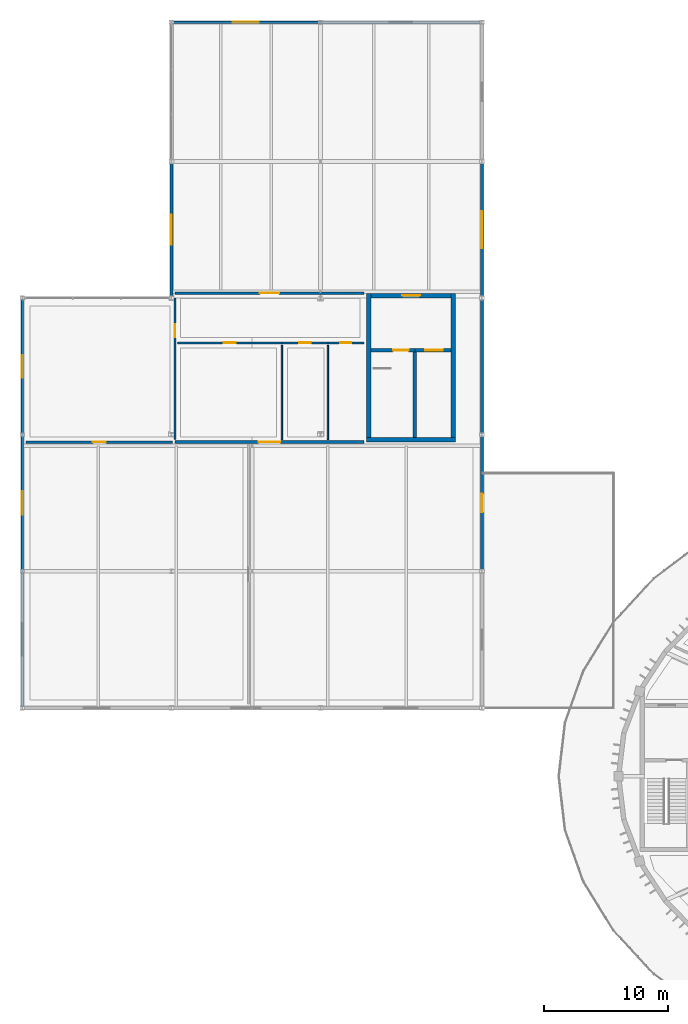
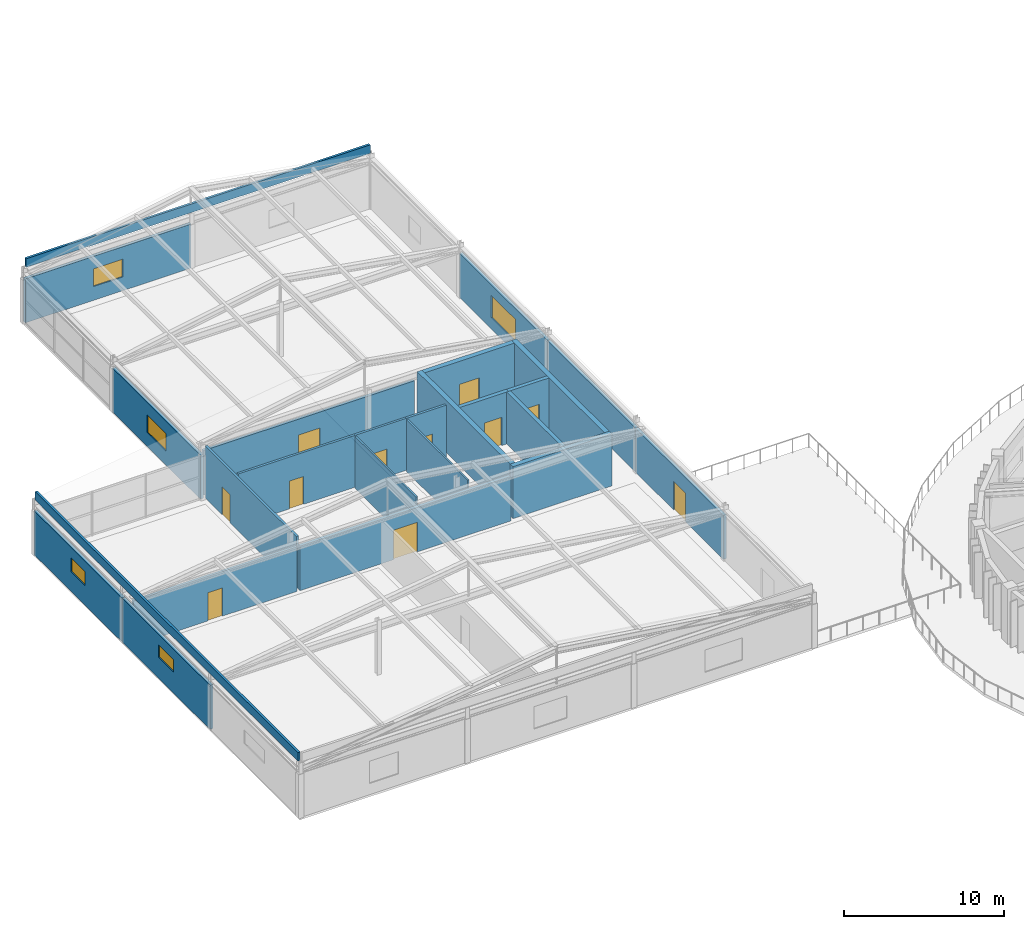
# One storey, part 47 of 63: 25 walls, 11 doors, 5 windows, 16 openings.
"""IFC4 building model written with IfcOpenShell, lengths in metres."""

import ifcopenshell
import ifcopenshell.guid

model = None  # the IFC model being written
_history = None  # IfcOwnerHistory: only IFC2X3 demands one
_inside = {}  # id of a spatial element -> (the spatial element, [elements in it])
_under = {}  # id of a project, library or spatial element -> (it, [spatial elements below it])
_declared = {}  # id of a project -> (the project, [libraries it declares])
_typed = {}  # id of a type object -> (the type object, [elements of that type])
_made_of = {}  # id of a material, layer set ... -> (it, [elements and type objects made of it])


def new_model(schema):
    """Start an empty IFC model of exactly this schema.

    Asked for "IFC4X3", IfcOpenShell would pick the latest addendum, in which some entities
    have other attributes; the version numbers below select the first issue.
    IFC2X3 requires an IfcOwnerHistory on every rooted entity: one is made here for all.
    """
    global model, _history
    if schema == "IFC4X3":
        model = ifcopenshell.file(schema_version=(4, 3, 0, 0))
    else:
        model = ifcopenshell.file(schema=schema)
    _inside.clear()
    _under.clear()
    _declared.clear()
    _typed.clear()
    _made_of.clear()
    _history = None
    if model.schema == "IFC2X3":
        org = make("IfcOrganization", Name="unknown")
        user = make(
            "IfcPersonAndOrganization",
            ThePerson=make("IfcPerson", FamilyName="unknown"),
            TheOrganization=org,
        )
        app = make(
            "IfcApplication",
            ApplicationDeveloper=org,
            Version="unknown",
            ApplicationFullName="unknown",
            ApplicationIdentifier="unknown",
        )
        _history = make(
            "IfcOwnerHistory",
            OwningUser=user,
            OwningApplication=app,
            ChangeAction="ADDED",
            CreationDate=0,
        )
    return model


def make(cls, **values):
    """One entity of the class cls with the attributes given. An attribute that is None is left unset."""
    return model.create_entity(
        cls, **{name: value for name, value in values.items() if value is not None}
    )


def rooted(cls, **values):
    """An entity with a GlobalId (a new one), such as an element, a storey or a relation."""
    return make(cls, GlobalId=ifcopenshell.guid.new(), OwnerHistory=_history, **values)


def si_unit(unit_type, name, prefix=None):
    """IfcSIUnit, for example si_unit("LENGTHUNIT", "METRE", prefix="MILLI")."""
    return make("IfcSIUnit", UnitType=unit_type, Prefix=prefix, Name=name)


def assignment(units):
    """IfcUnitAssignment: the units of a project."""
    return None if units is None else make("IfcUnitAssignment", Units=units)


def point(xyz):
    """IfcCartesianPoint."""
    return None if xyz is None else make("IfcCartesianPoint", Coordinates=xyz)


def direction(xyz):
    """IfcDirection."""
    return None if xyz is None else make("IfcDirection", DirectionRatios=xyz)


def frame(location, z_axis=None, x_axis=None):
    """IfcAxis2Placement3D, a coordinate frame: its origin and axes. An axis left out is left unset."""
    return make(
        "IfcAxis2Placement3D",
        Location=point(location),
        Axis=direction(z_axis),
        RefDirection=direction(x_axis),
    )


def frame_2d(location, x_axis=None):
    """IfcAxis2Placement2D, a coordinate frame in the plane: its origin and x axis."""
    return make(
        "IfcAxis2Placement2D", Location=point(location), RefDirection=direction(x_axis)
    )


def origin():
    """The frame at (0, 0, 0) with its axes left unset."""
    return frame((0.0, 0.0, 0.0))


def place(relative_to, where):
    """IfcLocalPlacement: puts the frame where relative to a parent placement (None: the world)."""
    return make(
        "IfcLocalPlacement", PlacementRelTo=relative_to, RelativePlacement=where
    )


def context(
    kind, dimensions, precision=None, world=None, true_north=None, identifier=None
):
    """IfcGeometricRepresentationContext, for example the 3D "Model" context."""
    return make(
        "IfcGeometricRepresentationContext",
        ContextIdentifier=identifier,
        ContextType=kind,
        CoordinateSpaceDimension=dimensions,
        Precision=precision,
        WorldCoordinateSystem=world,
        TrueNorth=true_north,
    )


def subcontext(parent, identifier, kind, view, scale=None):
    """IfcGeometricRepresentationSubContext, for example "Body" below "Model"."""
    return make(
        "IfcGeometricRepresentationSubContext",
        ContextIdentifier=identifier,
        ContextType=kind,
        ParentContext=parent,
        TargetScale=scale,
        TargetView=view,
    )


def project(units=None, contexts=None):
    """IfcProject with its units and contexts."""
    return rooted(
        "IfcProject",
        Name="project",
        RepresentationContexts=contexts,
        UnitsInContext=assignment(units),
    )


def spatial(cls, under=None, at=None, **own):
    """A site, building, storey or space (cls), placed at a placement, below another one or the project."""
    s = rooted(cls, ObjectPlacement=at, **own)
    if under is not None:
        _under.setdefault(under.id(), (under, []))[1].append(s)
    return s


def profile(cls, at=None, kind="AREA", **sizes):
    """A parametric profile (cls). Its sizes go by their IFC names, for example OverallWidth=200.0."""
    return make(cls, ProfileType=kind, Position=at, **sizes)


def rectangle(**sizes):
    """IfcRectangleProfileDef."""
    return profile("IfcRectangleProfileDef", **sizes)


def extrude(swept, where, along, depth):
    """IfcExtrudedAreaSolid: the profile swept, set in the frame where, extruded along a direction by depth."""
    return make(
        "IfcExtrudedAreaSolid",
        SweptArea=swept,
        Position=where,
        ExtrudedDirection=direction(along),
        Depth=depth,
    )


def shape(context_of_items, identifier, shape_type, items):
    """IfcShapeRepresentation: the items that make up one representation, for example the "Body"."""
    return make(
        "IfcShapeRepresentation",
        ContextOfItems=context_of_items,
        RepresentationIdentifier=identifier,
        RepresentationType=shape_type,
        Items=items,
    )


def material(Name=None, Category=None):
    """IfcMaterial."""
    return make("IfcMaterial", Name=Name, Category=Category)


def layer(
    of_material, thickness, ventilated=None, Name=None, Category=None, Priority=None
):
    """IfcMaterialLayer: one layer of a wall or slab, of a material (None: an air gap)."""
    return make(
        "IfcMaterialLayer",
        Material=of_material,
        LayerThickness=thickness,
        IsVentilated=ventilated,
        Name=Name,
        Category=Category,
        Priority=Priority,
    )


def layer_set(layers, Name=None):
    """IfcMaterialLayerSet."""
    return make("IfcMaterialLayerSet", MaterialLayers=layers, LayerSetName=Name)


def made_of(thing, what):
    """Note that an element or type object is made of a material, layer set ...; save() writes the relation."""
    if what is not None:
        _made_of.setdefault(what.id(), (what, []))[1].append(thing)
    return thing


def type_object(cls, material=None, **own):
    """A type object (cls), such as IfcWallType, which elements share."""
    return made_of(rooted(cls, **own), material)


def element(
    cls,
    number,
    at=None,
    inside=None,
    cuts=None,
    type_object=None,
    material=None,
    context=None,
    identifier="Body",
    shape_type=None,
    held_by="IfcProductDefinitionShape",
    body=None,
    shapes=None,
    **own,
):
    """One element of the class cls, such as IfcWall. Its Tag is "e" and its number.

    at: its placement. inside: the storey or other place that contains it. cuts: it is an
    opening in that element (IfcRelVoidsElement). A single representation is given by context,
    identifier, shape_type and body (its items); several are given by shapes. held_by: the class
    of the entity that holds the representations. save() writes the other relations.
    """
    e = rooted(cls, Tag="e%d" % number, ObjectPlacement=at, **own)
    if body is not None:
        shapes = [shape(context, identifier, shape_type, body)]
    if shapes is not None:
        e.Representation = make(held_by, Representations=shapes)
    if inside is not None:
        _inside.setdefault(inside.id(), (inside, []))[1].append(e)
    if cuts is not None:
        rooted(
            "IfcRelVoidsElement", RelatingBuildingElement=cuts, RelatedOpeningElement=e
        )
    if type_object is not None:
        _typed.setdefault(type_object.id(), (type_object, []))[1].append(e)
    return made_of(e, material)


def fill(opening, filler):
    """IfcRelFillsElement: the door or window that sits in an opening."""
    return rooted(
        "IfcRelFillsElement",
        RelatingOpeningElement=opening,
        RelatedBuildingElement=filler,
    )


def aggregate(whole, parts):
    """IfcRelAggregates: a whole, such as a stair, and the parts it consists of."""
    return rooted("IfcRelAggregates", RelatingObject=whole, RelatedObjects=parts)


def save(model, path):
    """Write the relations noted so far, then the file.

    IfcRelAggregates (storeys below a building ...), IfcRelContainedInSpatialStructure (elements
    in a storey), IfcRelDefinesByType, IfcRelAssociatesMaterial and IfcRelDeclares: one each for
    every whole, place, type object, material and project.
    """
    for whole, parts in _under.values():
        aggregate(whole, parts)
    for where, things in _inside.values():
        rooted(
            "IfcRelContainedInSpatialStructure",
            RelatedElements=things,
            RelatingStructure=where,
        )
    for kind, things in _typed.values():
        rooted("IfcRelDefinesByType", RelatedObjects=things, RelatingType=kind)
    for what, things in _made_of.values():
        rooted("IfcRelAssociatesMaterial", RelatedObjects=things, RelatingMaterial=what)
    for by, libraries in _declared.values():
        rooted("IfcRelDeclares", RelatingContext=by, RelatedDefinitions=libraries)
    model.write(path)


model = new_model("IFC4")

# Units and contexts
model_context = context("Model", 3, precision=1e-05, world=origin(), true_north=direction((0.0, 1.0)))
body_context = subcontext(model_context, "Body", "Model", "MODEL_VIEW")
ifc_project = project(units=[si_unit("LENGTHUNIT", "METRE"), si_unit("AREAUNIT", "SQUARE_METRE"), si_unit("VOLUMEUNIT", "CUBIC_METRE"), si_unit("PLANEANGLEUNIT", "RADIAN"), si_unit("MASSUNIT", "GRAM", prefix="KILO")], contexts=[model_context])

# Site, building, storey
site_placement = place(None, origin())
site = spatial("IfcSite", under=ifc_project, at=site_placement, CompositionType="ELEMENT")
building_placement = place(site_placement, origin())
building = spatial("IfcBuilding", under=site, at=building_placement, Name="Tarnveldt Headland Concert Hall", CompositionType="ELEMENT")
storey_placement = place(building_placement, frame((0.0, 0.0, 14.39990234375)))
storey = spatial("IfcBuildingStorey", under=building, at=storey_placement, Name="L03", CompositionType="ELEMENT", Elevation=14.39990234375)

# Wall
ifc_material_1 = material(Name="Concrete C40/50", Category="concrete")
ifc_layer_1 = layer(ifc_material_1, 0.35009765625, Name="Concrete C40/50", Category="concrete")
ifc_layer_set_1 = layer_set([ifc_layer_1], Name="Concrete C40/50")
wall_type_1 = type_object("IfcWallType", Name="WL-CR350", PredefinedType="SHEAR", material=ifc_layer_set_1)
wall_1_placement = place(storey_placement, frame((35.22509765625, 81.60009765625, 0.0), z_axis=(0.0, 0.0, 1.0), x_axis=(1.0, 0.0, 0.0)))
element("IfcWall", 1, at=wall_1_placement, inside=storey, type_object=wall_type_1, Name="Core C6 south shear wall L03", PredefinedType="SHEAR", context=body_context, shape_type="SweptSolid", body=[
    extrude(rectangle(XDim=7.14990234375, YDim=0.35009765625, at=frame_2d((3.574951171875, 0.0))), origin(), (0.0, 0.0, 1.0), 3.960205078125),
])

# Wall, opening, door
wall_2_placement = place(storey_placement, frame((35.574951171875, 93.199951171875, 0.0), z_axis=(0.0, 0.0, 1.0), x_axis=(1.0, 0.0, 0.0)))
wall_2 = element("IfcWall", 2, at=wall_2_placement, inside=storey, type_object=wall_type_1, Name="Core C6 north shear wall L03", PredefinedType="SHEAR", context=body_context, shape_type="SweptSolid", body=[
    extrude(rectangle(XDim=6.449951171875, YDim=0.35009765625, at=frame_2d((3.22509765625, 0.0))), origin(), (0.0, 0.0, 1.0), 3.960205078125),
])
opening_1_placement = place(wall_2_placement, frame((2.5, 0.0, 0.0)))
opening_1 = element("IfcOpeningElement", 3, at=opening_1_placement, cuts=wall_2, Name="Opening LBD-C6-L03", PredefinedType="OPENING", context=body_context, shape_type="SweptSolid", body=[
    extrude(rectangle(XDim=1.449951171875, YDim=2.199951171875, at=frame_2d((0.72509765625, 1.10009765625))), frame((0.0, 0.18505859375, 0.0), z_axis=(0.0, -1.0, 0.0), x_axis=(1.0, 0.0, 0.0)), (0.0, 0.0, 1.0), 0.3701171875),
])
ifc_material_2 = material(Name="Galvanised painted steel sheet", Category="steel")
door_type_1 = type_object("IfcDoorType", Name="DR-LB145", OperationType="NOTDEFINED", PredefinedType="DOOR", material=ifc_material_2)
door_1_placement = place(opening_1_placement, origin())
door_1 = element("IfcDoor", 4, at=door_1_placement, inside=storey, type_object=door_type_1, Name="Core C6 lobby entrance door L03", OperationType="SINGLE_SWING_RIGHT", OverallHeight=2.199951171875, OverallWidth=1.449951171875, PredefinedType="DOOR", context=body_context, shape_type="SweptSolid", body=[
    extrude(rectangle(XDim=1.449951171875, YDim=2.199951171875, at=frame_2d((0.72509765625, 1.10009765625))), frame((0.0, 0.02490234375, 0.0), z_axis=(0.0, -1.0, 0.0), x_axis=(1.0, 0.0, 0.0)), (0.0, 0.0, 1.0), 0.050048828125),
])
fill(opening_1, door_1)

# Walls
for number, where, z_axis, x_axis, name in (
    (5, (35.39990234375, 81.77490234375, 0.0), (0.0, 0.0, 1.0), (0.0, 1.0, 0.0), "Core C6 west shear wall L03"),
    (6, (42.199951171875, 81.77490234375, 0.0), (0.0, 0.0, 1.0), (0.0, 1.0, 0.0), "Core C6 east shear wall L03"),
):
    element("IfcWall", number, at=place(storey_placement, frame(where, z_axis=z_axis, x_axis=x_axis)), inside=storey, type_object=wall_type_1, Name=name, PredefinedType="SHEAR", context=body_context, shape_type="SweptSolid", body=[
        extrude(rectangle(XDim=11.60009765625, YDim=0.35009765625, at=frame_2d((5.800048828125, 0.0))), origin(), (0.0, 0.0, 1.0), 3.960205078125),
    ])

# Wall, opening, door
ifc_material_3 = material(Name="Coral-toned precast concrete C40/50", Category="concrete")
ifc_layer_2 = layer(ifc_material_3, 0.219970703125, Name="Coral-toned precast concrete C40/50", Category="concrete")
ifc_layer_set_2 = layer_set([ifc_layer_2], Name="Coral-toned precast concrete C40/50")
wall_type_2 = type_object("IfcWallType", Name="WL-EX220", PredefinedType="SOLIDWALL", material=ifc_layer_set_2)
wall_3_placement = place(storey_placement, frame((44.5, 81.97998046875, 0.0), z_axis=(0.0, 0.0, 1.0), x_axis=(0.0, -1.0, 0.0)))
wall_3 = element("IfcWall", 7, at=wall_3_placement, inside=storey, type_object=wall_type_2, Name="External precast wall L03-316", PredefinedType="SOLIDWALL", context=body_context, shape_type="SweptSolid", body=[
    extrude(rectangle(XDim=10.9599609375, YDim=0.219970703125, at=frame_2d((5.47998046875, 0.0))), origin(), (0.0, 0.0, 1.0), 3.35009765625),
])
opening_2_placement = place(wall_3_placement, frame((4.72998046875, 0.0, 0.0)))
opening_2 = element("IfcOpeningElement", 8, at=opening_2_placement, cuts=wall_3, Name="Opening TD-V5-E2", PredefinedType="OPENING", context=body_context, shape_type="SweptSolid", body=[
    extrude(rectangle(XDim=1.5, YDim=2.179931640625, at=frame_2d((0.75, 1.08984375))), frame((0.0, 0.119873046875, 0.0), z_axis=(0.0, -1.0, 0.0), x_axis=(1.0, 0.0, 0.0)), (0.0, 0.0, 1.0), 0.239990234375),
])
ifc_material_4 = material(Name="Marine-anodised aluminium EN AW-6063-T6", Category="aluminium")
door_type_2 = type_object("IfcDoorType", Name="DR-TR150", OperationType="NOTDEFINED", PredefinedType="DOOR", material=ifc_material_4)
door_2_placement = place(opening_2_placement, origin())
door_2 = element("IfcDoor", 9, at=door_2_placement, inside=storey, type_object=door_type_2, Name="Musicians terrace door E2", OperationType="DOUBLE_DOOR_SINGLE_SWING", OverallHeight=2.179931640625, OverallWidth=1.5, PredefinedType="DOOR", context=body_context, shape_type="SweptSolid", body=[
    extrude(rectangle(XDim=1.5, YDim=2.179931640625, at=frame_2d((0.75, 1.08984375))), frame((0.0, 0.02490234375, 0.0), z_axis=(0.0, -1.0, 0.0), x_axis=(1.0, 0.0, 0.0)), (0.0, 0.0, 1.0), 0.050048828125),
])
fill(opening_2, door_2)

# Wall
wall_4_placement = place(storey_placement, frame((44.5, 92.97998046875, 0.0), z_axis=(0.0, 0.0, 1.0), x_axis=(0.0, -1.0, 0.0)))
element("IfcWall", 10, at=wall_4_placement, inside=storey, type_object=wall_type_2, Name="External precast wall L03-317", PredefinedType="SOLIDWALL", context=body_context, shape_type="SweptSolid", body=[
    extrude(rectangle(XDim=10.9599609375, YDim=0.219970703125, at=frame_2d((5.47998046875, 0.0))), origin(), (0.0, 0.0, 1.0), 3.35009765625),
])

# Wall, opening, window
wall_5_placement = place(storey_placement, frame((44.5, 103.97998046875, 0.0), z_axis=(0.0, 0.0, 1.0), x_axis=(0.0, -1.0, 0.0)))
wall_5 = element("IfcWall", 11, at=wall_5_placement, inside=storey, type_object=wall_type_2, Name="External precast wall L03-318", PredefinedType="SOLIDWALL", context=body_context, shape_type="SweptSolid", body=[
    extrude(rectangle(XDim=10.9599609375, YDim=0.219970703125, at=frame_2d((5.47998046875, 0.0))), origin(), (0.0, 0.0, 1.0), 3.35009765625),
])
opening_3_placement = place(wall_5_placement, frame((3.97998046875, 0.0, 0.85009765625)))
opening_3 = element("IfcOpeningElement", 12, at=opening_3_placement, cuts=wall_5, Name="Opening W-R149", PredefinedType="OPENING", context=body_context, shape_type="SweptSolid", body=[
    extrude(rectangle(XDim=3.0, YDim=1.699951171875, at=frame_2d((1.5, 0.85009765625))), frame((0.0, 0.119873046875, 0.0), z_axis=(0.0, -1.0, 0.0), x_axis=(1.0, 0.0, 0.0)), (0.0, 0.0, 1.0), 0.239990234375),
])
ifc_material_5 = material(Name="Acoustic laminated low-iron double glazing", Category="glass")
window_type_1 = type_object("IfcWindowType", Name="WN-16", PartitioningType="SINGLE_PANEL", PredefinedType="WINDOW", material=ifc_material_5)
window_1_placement = place(opening_3_placement, origin())
window_1 = element("IfcWindow", 13, at=window_1_placement, inside=storey, type_object=window_type_1, Name="Rehearsal wing acoustic window L03-E4", OverallHeight=1.699951171875, OverallWidth=3.0, PartitioningType="SINGLE_PANEL", PredefinedType="WINDOW", context=body_context, shape_type="SweptSolid", body=[
    extrude(rectangle(XDim=3.0, YDim=1.699951171875, at=frame_2d((1.5, 0.85009765625))), frame((0.0, 0.030029296875, 0.0), z_axis=(0.0, -1.0, 0.0), x_axis=(1.0, 0.0, 0.0)), (0.0, 0.0, 1.0), 0.06005859375),
])
fill(opening_3, window_1)

wall_6_placement = place(storey_placement, frame((19.52001953125, 115.199951171875, 0.0), z_axis=(0.0, 0.0, 1.0), x_axis=(1.0, 0.0, 0.0)))
wall_6 = element("IfcWall", 14, at=wall_6_placement, inside=storey, type_object=wall_type_2, Name="External precast wall L03-321", PredefinedType="SOLIDWALL", context=body_context, shape_type="SweptSolid", body=[
    extrude(rectangle(XDim=11.9599609375, YDim=0.219970703125, at=frame_2d((5.97998046875, 0.0))), origin(), (0.0, 0.0, 1.0), 3.35009765625),
])
opening_4_placement = place(wall_6_placement, frame((4.929931640625, 0.0, 1.050048828125)))
opening_4 = element("IfcOpeningElement", 15, at=opening_4_placement, cuts=wall_6, Name="Opening W-R152", PredefinedType="OPENING", context=body_context, shape_type="SweptSolid", body=[
    extrude(rectangle(XDim=2.10009765625, YDim=1.35009765625, at=frame_2d((1.050048828125, 0.675048828125))), frame((0.0, 0.119873046875, 0.0), z_axis=(0.0, -1.0, 0.0), x_axis=(1.0, 0.0, 0.0)), (0.0, 0.0, 1.0), 0.239990234375),
])
window_type_2 = type_object("IfcWindowType", Name="WN-19", PartitioningType="SINGLE_PANEL", PredefinedType="WINDOW", material=ifc_material_5)
window_2_placement = place(opening_4_placement, origin())
window_2 = element("IfcWindow", 16, at=window_2_placement, inside=storey, type_object=window_type_2, Name="Rehearsal wing acoustic window L03-N2", OverallHeight=1.35009765625, OverallWidth=2.10009765625, PartitioningType="SINGLE_PANEL", PredefinedType="WINDOW", context=body_context, shape_type="SweptSolid", body=[
    extrude(rectangle(XDim=2.10009765625, YDim=1.35009765625, at=frame_2d((1.050048828125, 0.675048828125))), frame((0.0, 0.030029296875, 0.0), z_axis=(0.0, -1.0, 0.0), x_axis=(1.0, 0.0, 0.0)), (0.0, 0.0, 1.0), 0.06005859375),
])
fill(opening_4, window_2)

wall_7_placement = place(storey_placement, frame((19.5, 93.02001953125, 0.0), z_axis=(0.0, 0.0, 1.0), x_axis=(0.0, 1.0, 0.0)))
wall_7 = element("IfcWall", 17, at=wall_7_placement, inside=storey, type_object=wall_type_2, Name="External precast wall L03-322", PredefinedType="SOLIDWALL", context=body_context, shape_type="SweptSolid", body=[
    extrude(rectangle(XDim=10.9599609375, YDim=0.219970703125, at=frame_2d((5.47998046875, 0.0))), origin(), (0.0, 0.0, 1.0), 3.35009765625),
])
opening_5_placement = place(wall_7_placement, frame((4.280029296875, 0.0, 1.050048828125)))
opening_5 = element("IfcOpeningElement", 18, at=opening_5_placement, cuts=wall_7, Name="Opening W-R153", PredefinedType="OPENING", context=body_context, shape_type="SweptSolid", body=[
    extrude(rectangle(XDim=2.39990234375, YDim=1.35009765625, at=frame_2d((1.199951171875, 0.675048828125))), frame((0.0, 0.119873046875, 0.0), z_axis=(0.0, -1.0, 0.0), x_axis=(1.0, 0.0, 0.0)), (0.0, 0.0, 1.0), 0.239990234375),
])
window_type_3 = type_object("IfcWindowType", Name="WN-20", PartitioningType="SINGLE_PANEL", PredefinedType="WINDOW", material=ifc_material_5)
window_3_placement = place(opening_5_placement, origin())
window_3 = element("IfcWindow", 19, at=window_3_placement, inside=storey, type_object=window_type_3, Name="Rehearsal wing acoustic window L03-CW2", OverallHeight=1.35009765625, OverallWidth=2.39990234375, PartitioningType="SINGLE_PANEL", PredefinedType="WINDOW", context=body_context, shape_type="SweptSolid", body=[
    extrude(rectangle(XDim=2.39990234375, YDim=1.35009765625, at=frame_2d((1.199951171875, 0.675048828125))), frame((0.0, 0.030029296875, 0.0), z_axis=(0.0, -1.0, 0.0), x_axis=(1.0, 0.0, 0.0)), (0.0, 0.0, 1.0), 0.06005859375),
])
fill(opening_5, window_3)

wall_8_placement = place(storey_placement, frame((7.5, 82.02001953125, 0.0), z_axis=(0.0, 0.0, 1.0), x_axis=(0.0, 1.0, 0.0)))
wall_8 = element("IfcWall", 20, at=wall_8_placement, inside=storey, type_object=wall_type_2, Name="External precast wall L03-323", PredefinedType="SOLIDWALL", context=body_context, shape_type="SweptSolid", body=[
    extrude(rectangle(XDim=10.9599609375, YDim=0.219970703125, at=frame_2d((5.47998046875, 0.0))), origin(), (0.0, 0.0, 1.0), 3.35009765625),
])
opening_6_placement = place(wall_8_placement, frame((4.580078125, 0.0, 1.5)))
opening_6 = element("IfcOpeningElement", 21, at=opening_6_placement, cuts=wall_8, Name="Opening W-R154", PredefinedType="OPENING", context=body_context, shape_type="SweptSolid", body=[
    extrude(rectangle(XDim=1.800048828125, YDim=1.050048828125, at=frame_2d((0.89990234375, 0.52490234375))), frame((0.0, 0.119873046875, 0.0), z_axis=(0.0, -1.0, 0.0), x_axis=(1.0, 0.0, 0.0)), (0.0, 0.0, 1.0), 0.239990234375),
])
window_type_4 = type_object("IfcWindowType", Name="WN-24", PartitioningType="SINGLE_PANEL", PredefinedType="WINDOW", material=ifc_material_5)
window_4_placement = place(opening_6_placement, origin())
window_4 = element("IfcWindow", 22, at=window_4_placement, inside=storey, type_object=window_type_4, Name="Rehearsal wing acoustic window L03-W1", OverallHeight=1.050048828125, OverallWidth=1.800048828125, PartitioningType="SINGLE_PANEL", PredefinedType="WINDOW", context=body_context, shape_type="SweptSolid", body=[
    extrude(rectangle(XDim=1.800048828125, YDim=1.050048828125, at=frame_2d((0.89990234375, 0.52490234375))), frame((0.0, 0.030029296875, 0.0), z_axis=(0.0, -1.0, 0.0), x_axis=(1.0, 0.0, 0.0)), (0.0, 0.0, 1.0), 0.06005859375),
])
fill(opening_6, window_4)

wall_9_placement = place(storey_placement, frame((7.5, 71.02001953125, 0.0), z_axis=(0.0, 0.0, 1.0), x_axis=(0.0, 1.0, 0.0)))
wall_9 = element("IfcWall", 23, at=wall_9_placement, inside=storey, type_object=wall_type_2, Name="External precast wall L03-324", PredefinedType="SOLIDWALL", context=body_context, shape_type="SweptSolid", body=[
    extrude(rectangle(XDim=10.9599609375, YDim=0.219970703125, at=frame_2d((5.47998046875, 0.0))), origin(), (0.0, 0.0, 1.0), 3.35009765625),
])
opening_7_placement = place(wall_9_placement, frame((4.530029296875, 0.0, 1.60009765625)))
opening_7 = element("IfcOpeningElement", 24, at=opening_7_placement, cuts=wall_9, Name="Opening W-R155", PredefinedType="OPENING", context=body_context, shape_type="SweptSolid", body=[
    extrude(rectangle(XDim=1.89990234375, YDim=0.949951171875, at=frame_2d((0.949951171875, 0.47509765625))), frame((0.0, 0.119873046875, 0.0), z_axis=(0.0, -1.0, 0.0), x_axis=(1.0, 0.0, 0.0)), (0.0, 0.0, 1.0), 0.239990234375),
])
window_type_5 = type_object("IfcWindowType", Name="WN-32", PartitioningType="SINGLE_PANEL", PredefinedType="WINDOW", material=ifc_material_5)
window_5_placement = place(opening_7_placement, origin())
window_5 = element("IfcWindow", 25, at=window_5_placement, inside=storey, type_object=window_type_5, Name="Rehearsal wing acoustic window L03-W2", OverallHeight=0.949951171875, OverallWidth=1.89990234375, PartitioningType="SINGLE_PANEL", PredefinedType="WINDOW", context=body_context, shape_type="SweptSolid", body=[
    extrude(rectangle(XDim=1.89990234375, YDim=0.949951171875, at=frame_2d((0.949951171875, 0.47509765625))), frame((0.0, 0.030029296875, 0.0), z_axis=(0.0, -1.0, 0.0), x_axis=(1.0, 0.0, 0.0)), (0.0, 0.0, 1.0), 0.06005859375),
])
fill(opening_7, window_5)

# Walls
ifc_layer_3 = layer(ifc_material_3, 0.1650390625, Name="Coral-toned precast concrete C40/50", Category="concrete")
ifc_layer_set_3 = layer_set([ifc_layer_3], Name="Coral-toned precast concrete C40/50")
wall_type_3 = type_object("IfcWallType", Name="WL-PR165", PredefinedType="PARAPET", material=ifc_layer_set_3)
wall_10_placement = place(storey_placement, frame((7.5, 60.10009765625, 4.2001953125), z_axis=(0.0, 0.0, 1.0), x_axis=(0.0, 1.0, 0.0)))
element("IfcWall", 26, at=wall_10_placement, inside=storey, type_object=wall_type_3, Name="Roof eaves parapet 4", PredefinedType="PARAPET", context=body_context, shape_type="SweptSolid", body=[
    extrude(rectangle(XDim=32.7998046875, YDim=0.1650390625, at=frame_2d((16.39990234375, 0.0))), origin(), (0.0, 0.0, 1.0), 0.64990234375),
])
wall_11_placement = place(storey_placement, frame((19.60009765625, 115.199951171875, 4.2001953125), z_axis=(0.0, 0.0, 1.0), x_axis=(1.0, 0.0, 0.0)))
element("IfcWall", 27, at=wall_11_placement, inside=storey, type_object=wall_type_3, Name="Roof eaves parapet 5", PredefinedType="PARAPET", context=body_context, shape_type="SweptSolid", body=[
    extrude(rectangle(XDim=24.7998046875, YDim=0.1650390625, at=frame_2d((12.39990234375, 0.0))), origin(), (0.0, 0.0, 1.0), 0.64990234375),
])
ifc_material_6 = material(Name="Acoustic multi-layer gypsum and mineral-wool partition", Category="gypsum")
ifc_layer_4 = layer(ifc_material_6, 0.1201171875, Name="Acoustic multi-layer gypsum and mineral-wool partition", Category="gypsum")
ifc_layer_set_4 = layer_set([ifc_layer_4], Name="Acoustic multi-layer gypsum and mineral-wool partition")
wall_type_4 = type_object("IfcWallType", Name="WL-PT120", PredefinedType="PARTITIONING", material=ifc_layer_set_4)
for number, where, z_axis, x_axis, name in (
    (28, (28.39990234375, 81.60009765625, 0.0), (0.0, 0.0, 1.0), (0.0, 1.0, 0.0), "Interior acoustic partition L03-108"),
    (29, (32.10009765625, 81.60009765625, 0.0), (0.0, 0.0, 1.0), (0.0, 1.0, 0.0), "Interior acoustic partition L03-109"),
):
    element("IfcWall", number, at=place(storey_placement, frame(where, z_axis=z_axis, x_axis=x_axis)), inside=storey, type_object=wall_type_4, Name=name, PredefinedType="PARTITIONING", context=body_context, shape_type="SweptSolid", body=[
        extrude(rectangle(XDim=7.599853515625, YDim=0.1201171875, at=frame_2d((3.7998046875, 0.0))), origin(), (0.0, 0.0, 1.0), 3.9541015625),
    ])

# Wall, opening, door
ifc_layer_5 = layer(ifc_material_6, 0.1650390625, Name="Acoustic multi-layer gypsum and mineral-wool partition", Category="gypsum")
ifc_layer_set_5 = layer_set([ifc_layer_5], Name="Acoustic multi-layer gypsum and mineral-wool partition")
wall_type_5 = type_object("IfcWallType", Name="WL-PT165", PredefinedType="PARTITIONING", material=ifc_layer_set_5)
wall_12_placement = place(storey_placement, frame((19.800048828125, 81.60009765625, 0.0), z_axis=(0.0, 0.0, 1.0), x_axis=(0.0, 1.0, 0.0)))
wall_12 = element("IfcWall", 30, at=wall_12_placement, inside=storey, type_object=wall_type_5, Name="Interior acoustic partition L03-104", PredefinedType="PARTITIONING", context=body_context, shape_type="SweptSolid", body=[
    extrude(rectangle(XDim=11.39990234375, YDim=0.1650390625, at=frame_2d((5.699951171875, 0.0))), origin(), (0.0, 0.0, 1.0), 3.9541015625),
])
opening_8_placement = place(wall_12_placement, frame((8.256591796875, 0.0, 0.0)))
opening_8 = element("IfcOpeningElement", 31, at=opening_8_placement, cuts=wall_12, Name="Opening D-L03-125", PredefinedType="OPENING", context=body_context, shape_type="SweptSolid", body=[
    extrude(rectangle(XDim=1.050048828125, YDim=2.14990234375, at=frame_2d((0.52490234375, 1.074951171875))), frame((0.0, 0.092529296875, 0.0), z_axis=(0.0, -1.0, 0.0), x_axis=(1.0, 0.0, 0.0)), (0.0, 0.0, 1.0), 0.18505859375),
])
ifc_material_7 = material(Name="Treated East African mvule hardwood", Category="wood")
door_type_3 = type_object("IfcDoorType", Name="DR-RM105", OperationType="NOTDEFINED", PredefinedType="DOOR", material=ifc_material_7)
door_3_placement = place(opening_8_placement, origin())
door_3 = element("IfcDoor", 32, at=door_3_placement, inside=storey, type_object=door_type_3, Name="Interior room door L03-125", OperationType="SINGLE_SWING_LEFT", OverallHeight=2.14990234375, OverallWidth=1.050048828125, PredefinedType="DOOR", context=body_context, shape_type="SweptSolid", body=[
    extrude(rectangle(XDim=1.050048828125, YDim=2.14990234375, at=frame_2d((0.52490234375, 1.074951171875))), frame((0.0, 0.02490234375, 0.0), z_axis=(0.0, -1.0, 0.0), x_axis=(1.0, 0.0, 0.0)), (0.0, 0.0, 1.0), 0.050048828125),
])
fill(opening_8, door_3)

wall_13_placement = place(storey_placement, frame((20.0, 89.39990234375, 0.0), z_axis=(0.0, 0.0, 1.0), x_axis=(1.0, 0.0, 0.0)))
wall_13 = element("IfcWall", 33, at=wall_13_placement, inside=storey, type_object=wall_type_5, Name="Interior acoustic partition L03-105", PredefinedType="PARTITIONING", context=body_context, shape_type="SweptSolid", body=[
    extrude(rectangle(XDim=8.39990234375, YDim=0.1650390625, at=frame_2d((4.199951171875, 0.0))), origin(), (0.0, 0.0, 1.0), 3.9541015625),
])
opening_9_placement = place(wall_13_placement, frame((3.699951171875, 0.0, 0.0)))
opening_9 = element("IfcOpeningElement", 34, at=opening_9_placement, cuts=wall_13, Name="Opening D-L03-126", PredefinedType="OPENING", context=body_context, shape_type="SweptSolid", body=[
    extrude(rectangle(XDim=1.0, YDim=2.1201171875, at=frame_2d((0.5, 1.06005859375))), frame((0.0, 0.092529296875, 0.0), z_axis=(0.0, -1.0, 0.0), x_axis=(1.0, 0.0, 0.0)), (0.0, 0.0, 1.0), 0.18505859375),
])
door_type_4 = type_object("IfcDoorType", Name="DR-RM100", OperationType="NOTDEFINED", PredefinedType="DOOR", material=ifc_material_7)
door_4_placement = place(opening_9_placement, origin())
door_4 = element("IfcDoor", 35, at=door_4_placement, inside=storey, type_object=door_type_4, Name="Interior room door L03-126", OperationType="SINGLE_SWING_RIGHT", OverallHeight=2.1201171875, OverallWidth=1.0, PredefinedType="DOOR", context=body_context, shape_type="SweptSolid", body=[
    extrude(rectangle(XDim=1.0, YDim=2.1201171875, at=frame_2d((0.5, 1.06005859375))), frame((0.0, 0.02490234375, 0.0), z_axis=(0.0, -1.0, 0.0), x_axis=(1.0, 0.0, 0.0)), (0.0, 0.0, 1.0), 0.050048828125),
])
fill(opening_9, door_4)

wall_14_placement = place(storey_placement, frame((28.39990234375, 89.39990234375, 0.0), z_axis=(0.0, 0.0, 1.0), x_axis=(1.0, 0.0, 0.0)))
wall_14 = element("IfcWall", 36, at=wall_14_placement, inside=storey, type_object=wall_type_5, Name="Interior acoustic partition L03-106", PredefinedType="PARTITIONING", context=body_context, shape_type="SweptSolid", body=[
    extrude(rectangle(XDim=3.7001953125, YDim=0.1650390625, at=frame_2d((1.85009765625, 0.0))), origin(), (0.0, 0.0, 1.0), 3.9541015625),
])
opening_10_placement = place(wall_14_placement, frame((1.389892578125, 0.0, 0.0)))
opening_10 = element("IfcOpeningElement", 37, at=opening_10_placement, cuts=wall_14, Name="Opening D-L03-127", PredefinedType="OPENING", context=body_context, shape_type="SweptSolid", body=[
    extrude(rectangle(XDim=0.919921875, YDim=2.10009765625, at=frame_2d((0.4599609375, 1.050048828125))), frame((0.0, 0.092529296875, 0.0), z_axis=(0.0, -1.0, 0.0), x_axis=(1.0, 0.0, 0.0)), (0.0, 0.0, 1.0), 0.18505859375),
])
door_type_5 = type_object("IfcDoorType", Name="DR-WC092", OperationType="NOTDEFINED", PredefinedType="DOOR", material=ifc_material_7)
door_5_placement = place(opening_10_placement, origin())
door_5 = element("IfcDoor", 38, at=door_5_placement, inside=storey, type_object=door_type_5, Name="Interior room door L03-127", OperationType="SINGLE_SWING_LEFT", OverallHeight=2.10009765625, OverallWidth=0.919921875, PredefinedType="DOOR", context=body_context, shape_type="SweptSolid", body=[
    extrude(rectangle(XDim=0.919921875, YDim=2.10009765625, at=frame_2d((0.4599609375, 1.050048828125))), frame((0.0, 0.02490234375, 0.0), z_axis=(0.0, -1.0, 0.0), x_axis=(1.0, 0.0, 0.0)), (0.0, 0.0, 1.0), 0.050048828125),
])
fill(opening_10, door_5)

wall_15_placement = place(storey_placement, frame((32.10009765625, 89.39990234375, 0.0), z_axis=(0.0, 0.0, 1.0), x_axis=(1.0, 0.0, 0.0)))
wall_15 = element("IfcWall", 39, at=wall_15_placement, inside=storey, type_object=wall_type_5, Name="Interior acoustic partition L03-107", PredefinedType="PARTITIONING", context=body_context, shape_type="SweptSolid", body=[
    extrude(rectangle(XDim=2.89990234375, YDim=0.1650390625, at=frame_2d((1.449951171875, 0.0))), origin(), (0.0, 0.0, 1.0), 3.9541015625),
])
opening_11_placement = place(wall_15_placement, frame((1.010009765625, 0.0, 0.0)))
opening_11 = element("IfcOpeningElement", 40, at=opening_11_placement, cuts=wall_15, Name="Opening D-L03-128", PredefinedType="OPENING", context=body_context, shape_type="SweptSolid", body=[
    extrude(rectangle(XDim=0.8798828125, YDim=2.10009765625, at=frame_2d((0.43994140625, 1.050048828125))), frame((0.0, 0.092529296875, 0.0), z_axis=(0.0, -1.0, 0.0), x_axis=(1.0, 0.0, 0.0)), (0.0, 0.0, 1.0), 0.18505859375),
])
door_type_6 = type_object("IfcDoorType", Name="DR-WC088", OperationType="NOTDEFINED", PredefinedType="DOOR", material=ifc_material_7)
door_6_placement = place(opening_11_placement, origin())
door_6 = element("IfcDoor", 41, at=door_6_placement, inside=storey, type_object=door_type_6, Name="Interior room door L03-128", OperationType="SINGLE_SWING_RIGHT", OverallHeight=2.10009765625, OverallWidth=0.8798828125, PredefinedType="DOOR", context=body_context, shape_type="SweptSolid", body=[
    extrude(rectangle(XDim=0.8798828125, YDim=2.10009765625, at=frame_2d((0.43994140625, 1.050048828125))), frame((0.0, 0.02490234375, 0.0), z_axis=(0.0, -1.0, 0.0), x_axis=(1.0, 0.0, 0.0)), (0.0, 0.0, 1.0), 0.050048828125),
])
fill(opening_11, door_6)

ifc_layer_6 = layer(ifc_material_6, 0.18505859375, Name="Acoustic multi-layer gypsum and mineral-wool partition", Category="gypsum")
ifc_layer_set_6 = layer_set([ifc_layer_6], Name="Acoustic multi-layer gypsum and mineral-wool partition")
wall_type_6 = type_object("IfcWallType", Name="WL-PT185", PredefinedType="PARTITIONING", material=ifc_layer_set_6)
wall_16_placement = place(storey_placement, frame((7.800048828125, 81.39990234375, 0.0), z_axis=(0.0, 0.0, 1.0), x_axis=(1.0, 0.0, 0.0)))
wall_16 = element("IfcWall", 42, at=wall_16_placement, inside=storey, type_object=wall_type_6, Name="Interior acoustic partition L03-103", PredefinedType="PARTITIONING", context=body_context, shape_type="SweptSolid", body=[
    extrude(rectangle(XDim=11.800048828125, YDim=0.18505859375, at=frame_2d((5.89990234375, 0.0))), origin(), (0.0, 0.0, 1.0), 3.39013671875),
])
opening_12_placement = place(wall_16_placement, frame((5.375, 0.0, 0.0)))
opening_12 = element("IfcOpeningElement", 43, at=opening_12_placement, cuts=wall_16, Name="Opening D-L03-124", PredefinedType="OPENING", context=body_context, shape_type="SweptSolid", body=[
    extrude(rectangle(XDim=1.050048828125, YDim=2.14990234375, at=frame_2d((0.52490234375, 1.074951171875))), frame((0.0, 0.1025390625, 0.0), z_axis=(0.0, -1.0, 0.0), x_axis=(1.0, 0.0, 0.0)), (0.0, 0.0, 1.0), 0.205078125),
])
door_7_placement = place(opening_12_placement, origin())
door_7 = element("IfcDoor", 44, at=door_7_placement, inside=storey, type_object=door_type_3, Name="Interior room door L03-124", OperationType="SINGLE_SWING_RIGHT", OverallHeight=2.14990234375, OverallWidth=1.050048828125, PredefinedType="DOOR", context=body_context, shape_type="SweptSolid", body=[
    extrude(rectangle(XDim=1.050048828125, YDim=2.14990234375, at=frame_2d((0.52490234375, 1.074951171875))), frame((0.0, 0.02490234375, 0.0), z_axis=(0.0, -1.0, 0.0), x_axis=(1.0, 0.0, 0.0)), (0.0, 0.0, 1.0), 0.050048828125),
])
fill(opening_12, door_7)

ifc_layer_7 = layer(ifc_material_6, 0.199951171875, Name="Acoustic multi-layer gypsum and mineral-wool partition", Category="gypsum")
ifc_layer_set_7 = layer_set([ifc_layer_7], Name="Acoustic multi-layer gypsum and mineral-wool partition")
wall_type_7 = type_object("IfcWallType", Name="WL-PT200", PredefinedType="PARTITIONING", material=ifc_layer_set_7)
wall_17_placement = place(storey_placement, frame((19.800048828125, 93.39990234375, 0.0), z_axis=(0.0, 0.0, 1.0), x_axis=(1.0, 0.0, 0.0)))
wall_17 = element("IfcWall", 45, at=wall_17_placement, inside=storey, type_object=wall_type_7, Name="Interior acoustic partition L03-111", PredefinedType="PARTITIONING", context=body_context, shape_type="SweptSolid", body=[
    extrude(rectangle(XDim=15.199951171875, YDim=0.199951171875, at=frame_2d((7.60009765625, 0.0))), origin(), (0.0, 0.0, 1.0), 3.39013671875),
])
opening_13_placement = place(wall_17_placement, frame((6.824951171875, 0.0, 0.0)))
opening_13 = element("IfcOpeningElement", 46, at=opening_13_placement, cuts=wall_17, Name="Opening D-L03-130", PredefinedType="OPENING", context=body_context, shape_type="SweptSolid", body=[
    extrude(rectangle(XDim=1.550048828125, YDim=2.179931640625, at=frame_2d((0.77490234375, 1.08984375))), frame((0.0, 0.10986328125, 0.0), z_axis=(0.0, -1.0, 0.0), x_axis=(1.0, 0.0, 0.0)), (0.0, 0.0, 1.0), 0.219970703125),
])
door_type_7 = type_object("IfcDoorType", Name="DR-AC155", OperationType="NOTDEFINED", PredefinedType="DOOR", material=ifc_material_7)
door_8_placement = place(opening_13_placement, origin())
door_8 = element("IfcDoor", 47, at=door_8_placement, inside=storey, type_object=door_type_7, Name="Interior room door L03-130", OperationType="SINGLE_SWING_RIGHT", OverallHeight=2.179931640625, OverallWidth=1.550048828125, PredefinedType="DOOR", context=body_context, shape_type="SweptSolid", body=[
    extrude(rectangle(XDim=1.550048828125, YDim=2.179931640625, at=frame_2d((0.77490234375, 1.08984375))), frame((0.0, 0.02490234375, 0.0), z_axis=(0.0, -1.0, 0.0), x_axis=(1.0, 0.0, 0.0)), (0.0, 0.0, 1.0), 0.050048828125),
])
fill(opening_13, door_8)

ifc_layer_8 = layer(ifc_material_6, 0.239990234375, Name="Acoustic multi-layer gypsum and mineral-wool partition", Category="gypsum")
ifc_layer_set_8 = layer_set([ifc_layer_8], Name="Acoustic multi-layer gypsum and mineral-wool partition")
wall_type_8 = type_object("IfcWallType", Name="WL-PT240", PredefinedType="PARTITIONING", material=ifc_layer_set_8)
wall_18_placement = place(storey_placement, frame((19.800048828125, 81.39990234375, 0.0), z_axis=(0.0, 0.0, 1.0), x_axis=(1.0, 0.0, 0.0)))
wall_18 = element("IfcWall", 48, at=wall_18_placement, inside=storey, type_object=wall_type_8, Name="Interior acoustic partition L03-102", PredefinedType="PARTITIONING", context=body_context, shape_type="SweptSolid", body=[
    extrude(rectangle(XDim=15.199951171875, YDim=0.239990234375, at=frame_2d((7.60009765625, 0.0))), origin(), (0.0, 0.0, 1.0), 3.39013671875),
])
opening_14_placement = place(wall_18_placement, frame((6.72509765625, 0.0, 0.0)))
opening_14 = element("IfcOpeningElement", 49, at=opening_14_placement, cuts=wall_18, Name="Opening D-L03-123", PredefinedType="OPENING", context=body_context, shape_type="SweptSolid", body=[
    extrude(rectangle(XDim=1.75, YDim=2.25, at=frame_2d((0.875, 1.125))), frame((0.0, 0.1298828125, 0.0), z_axis=(0.0, -1.0, 0.0), x_axis=(1.0, 0.0, 0.0)), (0.0, 0.0, 1.0), 0.260009765625),
])
door_type_8 = type_object("IfcDoorType", Name="DR-AC175", OperationType="NOTDEFINED", PredefinedType="DOOR", material=ifc_material_7)
door_9_placement = place(opening_14_placement, origin())
door_9 = element("IfcDoor", 50, at=door_9_placement, inside=storey, type_object=door_type_8, Name="Interior room door L03-123", OperationType="SINGLE_SWING_LEFT", OverallHeight=2.25, OverallWidth=1.75, PredefinedType="DOOR", context=body_context, shape_type="SweptSolid", body=[
    extrude(rectangle(XDim=1.75, YDim=2.25, at=frame_2d((0.875, 1.125))), frame((0.0, 0.02490234375, 0.0), z_axis=(0.0, -1.0, 0.0), x_axis=(1.0, 0.0, 0.0)), (0.0, 0.0, 1.0), 0.050048828125),
])
fill(opening_14, door_9)

# Wall
ifc_layer_9 = layer(ifc_material_1, 0.27490234375, Name="Concrete C40/50", Category="concrete")
ifc_layer_set_9 = layer_set([ifc_layer_9], Name="Concrete C40/50")
wall_type_9 = type_object("IfcWallType", Name="WL-SH275", PredefinedType="SHEAR", material=ifc_layer_set_9)
wall_19_placement = place(storey_placement, frame((39.10009765625, 81.77490234375, 0.0), z_axis=(0.0, 0.0, 1.0), x_axis=(0.0, 1.0, 0.0)))
element("IfcWall", 51, at=wall_19_placement, inside=storey, type_object=wall_type_9, Name="Core C6 shaft divider wall L03", PredefinedType="SHEAR", context=body_context, shape_type="SweptSolid", body=[
    extrude(rectangle(XDim=6.8876953125, YDim=0.27490234375, at=frame_2d((3.44384765625, 0.0))), origin(), (0.0, 0.0, 1.0), 3.960205078125),
])

# Wall, opening, door
wall_20_placement = place(storey_placement, frame((35.574951171875, 88.800048828125, 0.0), z_axis=(0.0, 0.0, 1.0), x_axis=(1.0, 0.0, 0.0)))
wall_20 = element("IfcWall", 52, at=wall_20_placement, inside=storey, type_object=wall_type_9, Name="Core C6 stair enclosure wall L03", PredefinedType="SHEAR", context=body_context, shape_type="SweptSolid", body=[
    extrude(rectangle(XDim=3.525146484375, YDim=0.27490234375, at=frame_2d((1.7626953125, 0.0))), origin(), (0.0, 0.0, 1.0), 3.960205078125),
])
opening_15_placement = place(wall_20_placement, frame((1.784912109375, 0.0, 0.0)))
opening_15 = element("IfcOpeningElement", 53, at=opening_15_placement, cuts=wall_20, Name="Opening SD-C6-L03", PredefinedType="OPENING", context=body_context, shape_type="SweptSolid", body=[
    extrude(rectangle(XDim=1.25, YDim=2.14990234375, at=frame_2d((0.625, 1.074951171875))), frame((0.0, 0.1474609375, 0.0), z_axis=(0.0, -1.0, 0.0), x_axis=(1.0, 0.0, 0.0)), (0.0, 0.0, 1.0), 0.294921875),
])
door_type_9 = type_object("IfcDoorType", Name="DR-ST125", OperationType="NOTDEFINED", PredefinedType="DOOR", material=ifc_material_2)
door_10_placement = place(opening_15_placement, origin())
door_10 = element("IfcDoor", 54, at=door_10_placement, inside=storey, type_object=door_type_9, Name="Core C6 stair fire door L03", OperationType="SINGLE_SWING_RIGHT", OverallHeight=2.14990234375, OverallWidth=1.25, PredefinedType="DOOR", context=body_context, shape_type="SweptSolid", body=[
    extrude(rectangle(XDim=1.25, YDim=2.14990234375, at=frame_2d((0.625, 1.074951171875))), frame((0.0, 0.02490234375, 0.0), z_axis=(0.0, -1.0, 0.0), x_axis=(1.0, 0.0, 0.0)), (0.0, 0.0, 1.0), 0.050048828125),
])
fill(opening_15, door_10)

wall_21_placement = place(storey_placement, frame((39.10009765625, 88.800048828125, 0.0), z_axis=(0.0, 0.0, 1.0), x_axis=(1.0, 0.0, 0.0)))
wall_21 = element("IfcWall", 55, at=wall_21_placement, inside=storey, type_object=wall_type_9, Name="Core C6 lift shaft front wall L03", PredefinedType="SHEAR", context=body_context, shape_type="SweptSolid", body=[
    extrude(rectangle(XDim=2.9248046875, YDim=0.27490234375, at=frame_2d((1.46240234375, 0.0))), origin(), (0.0, 0.0, 1.0), 3.960205078125),
])
opening_16_placement = place(wall_21_placement, frame((0.83251953125, 0.0, 0.0)))
opening_16 = element("IfcOpeningElement", 56, at=opening_16_placement, cuts=wall_21, Name="Opening LD-LG-01-L03", PredefinedType="OPENING", context=body_context, shape_type="SweptSolid", body=[
    extrude(rectangle(XDim=1.39990234375, YDim=2.199951171875, at=frame_2d((0.699951171875, 1.10009765625))), frame((0.0, 0.1474609375, 0.0), z_axis=(0.0, -1.0, 0.0), x_axis=(1.0, 0.0, 0.0)), (0.0, 0.0, 1.0), 0.294921875),
])
door_type_10 = type_object("IfcDoorType", Name="LD-140", OperationType="NOTDEFINED", PredefinedType="DOOR", material=ifc_material_2)
door_11_placement = place(opening_16_placement, origin())
door_11 = element("IfcDoor", 57, at=door_11_placement, inside=storey, type_object=door_type_10, Name="Lift LG-01 sliding landing door L03", OperationType="DOUBLE_DOOR_SLIDING", OverallHeight=2.199951171875, OverallWidth=1.39990234375, PredefinedType="DOOR", context=body_context, shape_type="SweptSolid", body=[
    extrude(rectangle(XDim=1.39990234375, YDim=2.199951171875, at=frame_2d((0.699951171875, 1.10009765625))), frame((0.0, 0.02490234375, 0.0), z_axis=(0.0, -1.0, 0.0), x_axis=(1.0, 0.0, 0.0)), (0.0, 0.0, 1.0), 0.050048828125),
])
fill(opening_16, door_11)

save(model, "model.ifc")
